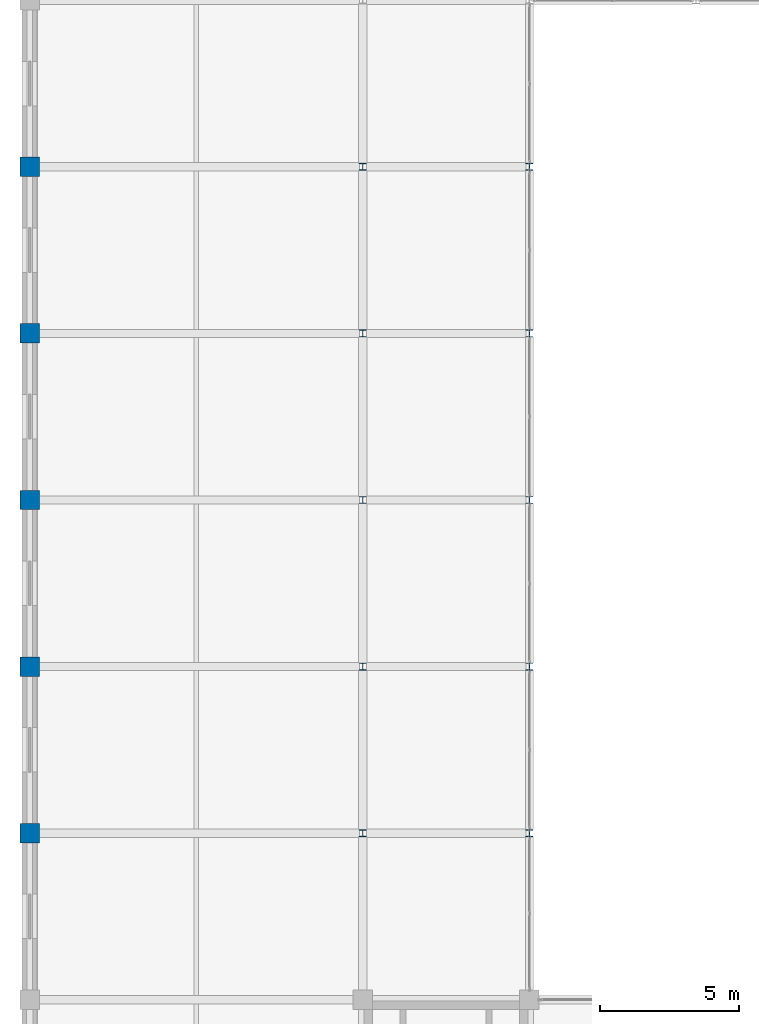
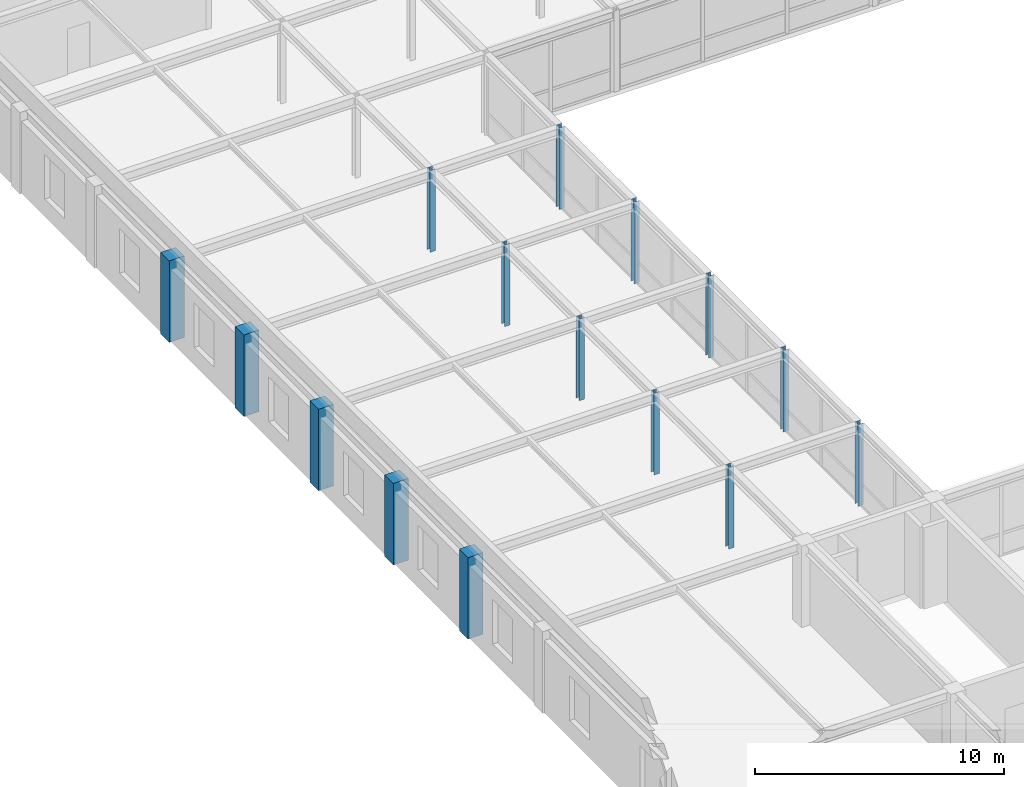
# One storey, part 5 of 111: 15 columns.
"""IFC4 building model written with IfcOpenShell, lengths in metres."""

from ifc_helpers import new_model, si_unit, direction, frame, origin, origin_2d, place, context, subcontext, project, spatial, rectangle, i_section, extrude, material, material_profile, profile_set, type_object, element, save


model = new_model("IFC4")

# Units and contexts
model_context = context("Model", 3, precision=1e-05, world=origin(), true_north=direction((0.0, 1.0)))
body_context = subcontext(model_context, "Body", "Model", "MODEL_VIEW")
ifc_project = project(units=[si_unit("LENGTHUNIT", "METRE"), si_unit("AREAUNIT", "SQUARE_METRE"), si_unit("VOLUMEUNIT", "CUBIC_METRE"), si_unit("PLANEANGLEUNIT", "RADIAN"), si_unit("MASSUNIT", "GRAM", prefix="KILO")], contexts=[model_context])

# Site, building, storey
site_placement = place(None, origin())
site = spatial("IfcSite", under=ifc_project, at=site_placement, CompositionType="ELEMENT")
building_placement = place(site_placement, origin())
building = spatial("IfcBuilding", under=site, at=building_placement, Name="Zlatovratsky Civic Hall", CompositionType="ELEMENT")
storey_placement = place(building_placement, frame((0.0, 0.0, 16.5)))
storey = spatial("IfcBuildingStorey", under=building, at=storey_placement, Name="L04", CompositionType="ELEMENT", Elevation=16.5)

# Columns
ifc_material_1 = material(Name="Concrete C35/45 (B40)", Category="concrete")
ifc_material_profile_1 = material_profile(ifc_material_1, rectangle(XDim=0.699951171875, YDim=0.699951171875, at=origin_2d()), Name="RC 700x700")
ifc_profile_set_1 = profile_set([ifc_material_profile_1], Name="Concrete C35/45 (B40)")
column_type_1 = type_object("IfcColumnType", Name="Col_CorePier_RC700", PredefinedType="COLUMN", material=ifc_profile_set_1)
for number, where, z_axis, x_axis, name in (
    (1, (0.0, 36.0, 0.0), (0.0, 0.0, 1.0), (1.0, 0.0, 0.0), "CL-1631"),
    (2, (0.0, 42.0, 0.0), (0.0, 0.0, 1.0), (1.0, 0.0, 0.0), "CL-1650"),
    (3, (0.0, 48.0, 0.0), (0.0, 0.0, 1.0), (1.0, 0.0, 0.0), "CL-1669"),
    (4, (0.0, 54.0, 0.0), (0.0, 0.0, 1.0), (1.0, 0.0, 0.0), "CL-1683"),
    (5, (0.0, 60.0, 0.0), (0.0, 0.0, 1.0), (1.0, 0.0, 0.0), "CL-1697"),
):
    element("IfcColumn", number, at=place(storey_placement, frame(where, z_axis=z_axis, x_axis=x_axis)), inside=storey, type_object=column_type_1, Name=name, PredefinedType="COLUMN", context=body_context, shape_type="SweptSolid", body=[
        extrude(rectangle(XDim=0.699951171875, YDim=0.699951171875, at=origin_2d()), origin(), (0.0, 0.0, 1.0), 4.0),
    ])
ifc_material_2 = material(Name="Steel S355", Category="steel")
ifc_material_profile_2 = material_profile(ifc_material_2, i_section(OverallWidth=0.25, OverallDepth=0.25, WebThickness=0.009033203125, FlangeThickness=0.013916015625, FilletRadius=0.01611328125, at=origin_2d()), Name="25K2")
ifc_profile_set_2 = profile_set([ifc_material_profile_2], Name="Steel S355")
column_type_2 = type_object("IfcColumnType", Name="Col_Steel_25K2", PredefinedType="COLUMN", material=ifc_profile_set_2)
for number, where, z_axis, x_axis, name in (
    (6, (12.0, 36.0, 0.0), (0.0, 0.0, 1.0), (1.0, 0.0, 0.0), "CL-1632"),
    (7, (18.0, 36.0, 0.0), (0.0, 0.0, 1.0), (1.0, 0.0, 0.0), "CL-1633"),
    (8, (12.0, 42.0, 0.0), (0.0, 0.0, 1.0), (1.0, 0.0, 0.0), "CL-1651"),
    (9, (18.0, 42.0, 0.0), (0.0, 0.0, 1.0), (1.0, 0.0, 0.0), "CL-1652"),
    (10, (12.0, 48.0, 0.0), (0.0, 0.0, 1.0), (1.0, 0.0, 0.0), "CL-1670"),
    (11, (18.0, 48.0, 0.0), (0.0, 0.0, 1.0), (1.0, 0.0, 0.0), "CL-1671"),
    (12, (12.0, 54.0, 0.0), (0.0, 0.0, 1.0), (1.0, 0.0, 0.0), "CL-1684"),
    (13, (18.0, 54.0, 0.0), (0.0, 0.0, 1.0), (1.0, 0.0, 0.0), "CL-1685"),
    (14, (12.0, 60.0, 0.0), (0.0, 0.0, 1.0), (1.0, 0.0, 0.0), "CL-1698"),
    (15, (18.0, 60.0, 0.0), (0.0, 0.0, 1.0), (1.0, 0.0, 0.0), "CL-1699"),
):
    element("IfcColumn", number, at=place(storey_placement, frame(where, z_axis=z_axis, x_axis=x_axis)), inside=storey, type_object=column_type_2, Name=name, PredefinedType="COLUMN", context=body_context, shape_type="SweptSolid", body=[
        extrude(i_section(OverallWidth=0.25, OverallDepth=0.25, WebThickness=0.009033203125, FlangeThickness=0.013916015625, FilletRadius=0.01611328125, at=origin_2d()), origin(), (0.0, 0.0, 1.0), 4.0),
    ])

save(model, "model.ifc")
